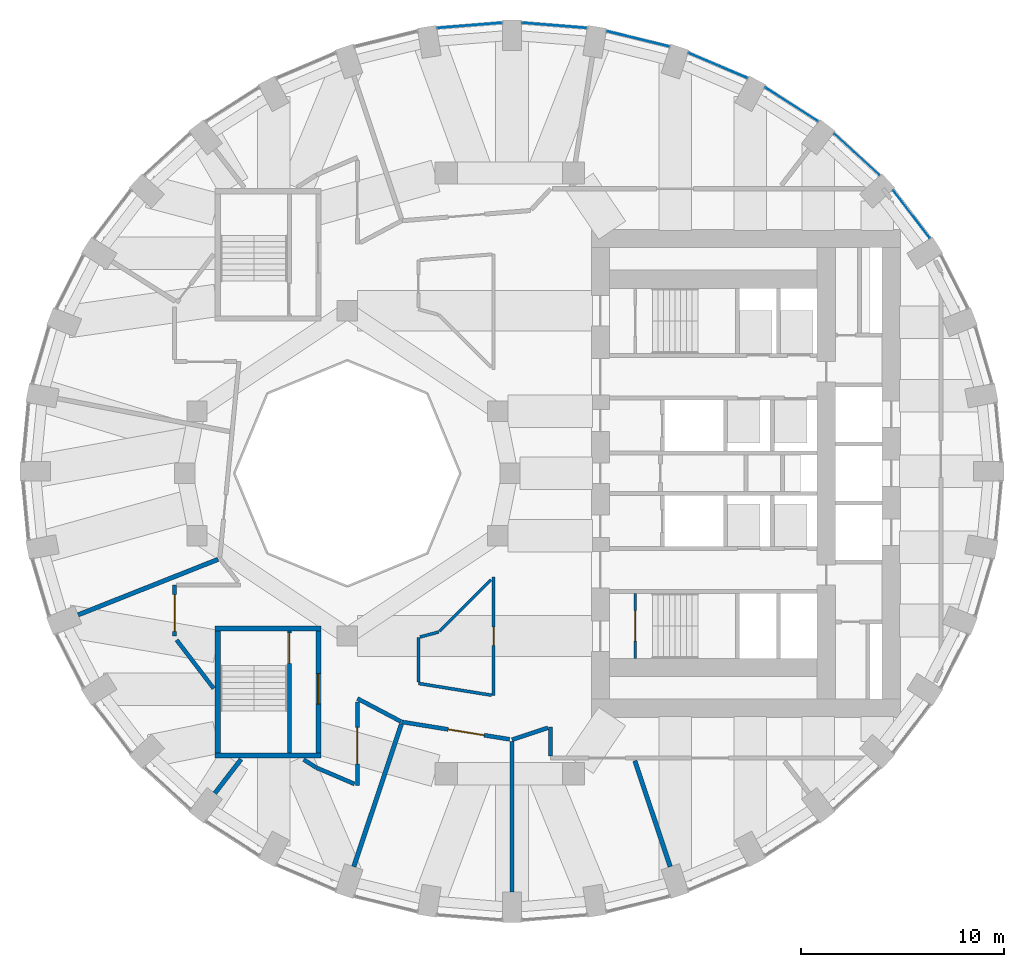
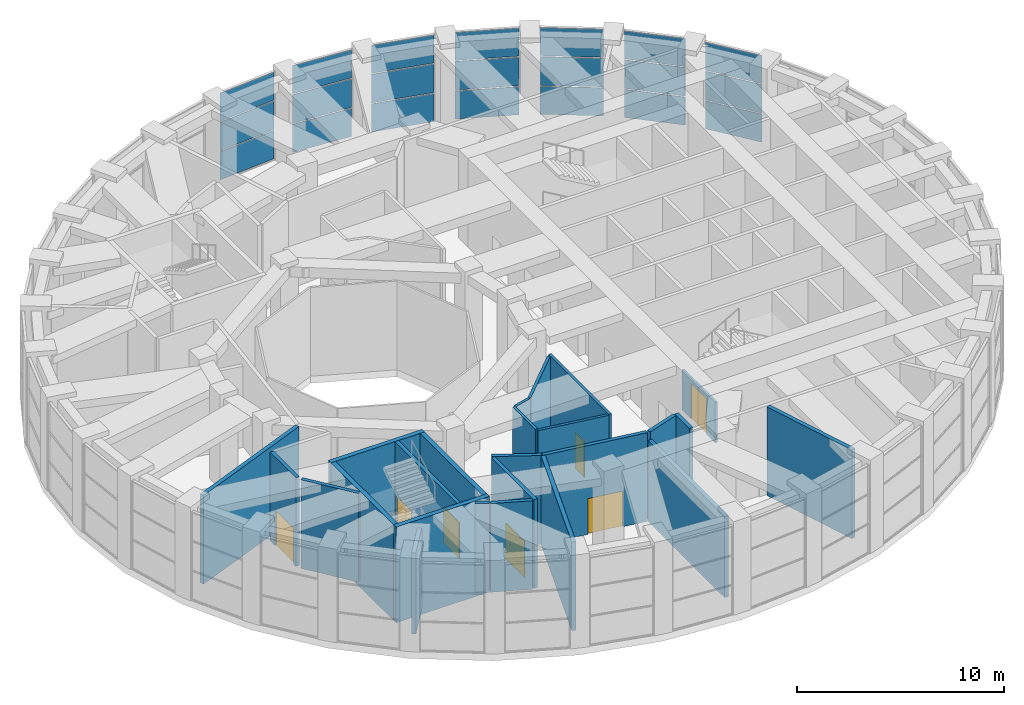
# One storey, part 11 of 17: 25 walls, 21 plates, 7 doors, 7 openings, 7 elements without a shape of their own.
"""IFC4 building model written with IfcOpenShell, lengths in metres."""

from ifc_helpers import new_model, si_unit, direction, frame, frame_2d, origin, origin_2d, place, context, subcontext, project, spatial, rectangle, extrude, material, layer, layer_set, type_object, element, fill, aggregate, save


model = new_model("IFC4")

# Units and contexts
model_context = context("Model", 3, precision=1e-05, world=origin(), true_north=direction((0.0, 1.0)))
body_context = subcontext(model_context, "Body", "Model", "MODEL_VIEW")
ifc_project = project(units=[si_unit("LENGTHUNIT", "METRE"), si_unit("AREAUNIT", "SQUARE_METRE"), si_unit("VOLUMEUNIT", "CUBIC_METRE"), si_unit("PLANEANGLEUNIT", "RADIAN"), si_unit("MASSUNIT", "GRAM", prefix="KILO")], contexts=[model_context])

# Site, building, storey
site_placement = place(None, origin())
site = spatial("IfcSite", under=ifc_project, at=site_placement, CompositionType="ELEMENT")
building_placement = place(site_placement, origin())
building = spatial("IfcBuilding", under=site, at=building_placement, Name="Taillehof Tower", CompositionType="ELEMENT")
storey_placement = place(building_placement, frame((0.0, 0.0, 139.60009765625)))
storey = spatial("IfcBuildingStorey", under=building, at=storey_placement, Name="L39", CompositionType="ELEMENT", Elevation=139.60009765625)

# Curtain wall, plates
ifc_material_1 = material(Name="Aluminium curtain wall with Clear low-emissivity double glazing", Category="aluminium")
curtain_wall_type = type_object("IfcCurtainWallType", Name="Sky lobby curtain wall", PredefinedType="USERDEFINED", material=ifc_material_1)
curtain_wall_1_placement = place(storey_placement, origin())
curtain_wall_1 = element("IfcCurtainWall", 1, at=curtain_wall_1_placement, inside=storey, type_object=curtain_wall_type, Name="Sky lobby L39 bay 4", ObjectType="WINDOW WALL", PredefinedType="USERDEFINED")
ifc_material_2 = material(Name="Clear low-emissivity double glazing", Category="glass")
ifc_layer_1 = layer(ifc_material_2, 0.028076171875)
ifc_layer_set_1 = layer_set([ifc_layer_1], Name="Sky lobby glass panel 28")
plate_type = type_object("IfcPlateType", Name="Sky lobby glass panel 28", PredefinedType="CURTAIN_PANEL", material=ifc_layer_set_1)
plate_1_placement = place(storey_placement, frame((19.75048828125, 12.748779296875, 0.06005859375), z_axis=(0.0, 0.0, 1.0), x_axis=(-0.607790899725, 0.794097111323, 0.0)))
plate_1 = element("IfcPlate", 2, at=plate_1_placement, type_object=plate_type, Name="CT3C04 panel 1.1", PredefinedType="CURTAIN_PANEL", context=body_context, shape_type="SweptSolid", body=[
    extrude(rectangle(XDim=2.939453125, YDim=0.028076171875, at=origin_2d()), origin(), (0.0, 0.0, 1.0), 1.64990234375),
])
plate_2_placement = place(storey_placement, frame((19.75048828125, 12.748779296875, 1.77001953125), z_axis=(0.0, 0.0, 1.0), x_axis=(-0.607790899725, 0.794097111323, 0.0)))
plate_2 = element("IfcPlate", 3, at=plate_2_placement, type_object=plate_type, Name="CT3C04 panel 1.2", PredefinedType="CURTAIN_PANEL", context=body_context, shape_type="SweptSolid", body=[
    extrude(rectangle(XDim=2.939453125, YDim=0.028076171875, at=origin_2d()), origin(), (0.0, 0.0, 1.0), 1.679931640625),
])
plate_3_placement = place(storey_placement, frame((19.75048828125, 12.748779296875, 3.510009765625), z_axis=(0.0, 0.0, 1.0), x_axis=(-0.607790899725, 0.794097111323, 0.0)))
plate_3 = element("IfcPlate", 4, at=plate_3_placement, type_object=plate_type, Name="CT3C04 panel 1.3", PredefinedType="CURTAIN_PANEL", context=body_context, shape_type="SweptSolid", body=[
    extrude(rectangle(XDim=2.939453125, YDim=0.028076171875, at=origin_2d()), origin(), (0.0, 0.0, 1.0), 1.64990234375),
])
aggregate(curtain_wall_1, [plate_1, plate_2, plate_3])

curtain_wall_2_placement = place(storey_placement, origin())
curtain_wall_2 = element("IfcCurtainWall", 5, at=curtain_wall_2_placement, inside=storey, type_object=curtain_wall_type, Name="Sky lobby L39 bay 5", ObjectType="WINDOW WALL", PredefinedType="USERDEFINED")
plate_4_placement = place(storey_placement, frame((17.056396484375, 15.686279296875, 0.06005859375), z_axis=(0.0, 0.0, 1.0), x_axis=(-0.737826725413, 0.674990165311, 0.0)))
plate_4 = element("IfcPlate", 6, at=plate_4_placement, type_object=plate_type, Name="CT3C05 panel 1.1", PredefinedType="CURTAIN_PANEL", context=body_context, shape_type="SweptSolid", body=[
    extrude(rectangle(XDim=2.996337890625, YDim=0.028076171875, at=origin_2d()), origin(), (0.0, 0.0, 1.0), 1.64990234375),
])
plate_5_placement = place(storey_placement, frame((17.056396484375, 15.686279296875, 1.77001953125), z_axis=(0.0, 0.0, 1.0), x_axis=(-0.737826725413, 0.674990165311, 0.0)))
plate_5 = element("IfcPlate", 7, at=plate_5_placement, type_object=plate_type, Name="CT3C05 panel 1.2", PredefinedType="CURTAIN_PANEL", context=body_context, shape_type="SweptSolid", body=[
    extrude(rectangle(XDim=2.996337890625, YDim=0.028076171875, at=origin_2d()), origin(), (0.0, 0.0, 1.0), 1.679931640625),
])
plate_6_placement = place(storey_placement, frame((17.056396484375, 15.686279296875, 3.510009765625), z_axis=(0.0, 0.0, 1.0), x_axis=(-0.737826725413, 0.674990165311, 0.0)))
plate_6 = element("IfcPlate", 8, at=plate_6_placement, type_object=plate_type, Name="CT3C05 panel 1.3", PredefinedType="CURTAIN_PANEL", context=body_context, shape_type="SweptSolid", body=[
    extrude(rectangle(XDim=2.996337890625, YDim=0.028076171875, at=origin_2d()), origin(), (0.0, 0.0, 1.0), 1.64990234375),
])
aggregate(curtain_wall_2, [plate_4, plate_5, plate_6])

curtain_wall_3_placement = place(storey_placement, origin())
curtain_wall_3 = element("IfcCurtainWall", 9, at=curtain_wall_3_placement, inside=storey, type_object=curtain_wall_type, Name="Sky lobby L39 bay 6", ObjectType="WINDOW WALL", PredefinedType="USERDEFINED")
plate_7_placement = place(storey_placement, frame((13.849365234375, 18.1484375, 0.06005859375), z_axis=(0.0, 0.0, 1.0), x_axis=(-0.842053210263, 0.539394467052, 0.0)))
plate_7 = element("IfcPlate", 10, at=plate_7_placement, type_object=plate_type, Name="CT3C06 panel 1.1", PredefinedType="CURTAIN_PANEL", context=body_context, shape_type="SweptSolid", body=[
    extrude(rectangle(XDim=3.052490234375, YDim=0.028076171875, at=origin_2d()), origin(), (0.0, 0.0, 1.0), 1.64990234375),
])
plate_8_placement = place(storey_placement, frame((13.849365234375, 18.1484375, 1.77001953125), z_axis=(0.0, 0.0, 1.0), x_axis=(-0.842053210263, 0.539394467052, 0.0)))
plate_8 = element("IfcPlate", 11, at=plate_8_placement, type_object=plate_type, Name="CT3C06 panel 1.2", PredefinedType="CURTAIN_PANEL", context=body_context, shape_type="SweptSolid", body=[
    extrude(rectangle(XDim=3.052490234375, YDim=0.028076171875, at=origin_2d()), origin(), (0.0, 0.0, 1.0), 1.679931640625),
])
plate_9_placement = place(storey_placement, frame((13.849365234375, 18.1484375, 3.510009765625), z_axis=(0.0, 0.0, 1.0), x_axis=(-0.842053210263, 0.539394467052, 0.0)))
plate_9 = element("IfcPlate", 12, at=plate_9_placement, type_object=plate_type, Name="CT3C06 panel 1.3", PredefinedType="CURTAIN_PANEL", context=body_context, shape_type="SweptSolid", body=[
    extrude(rectangle(XDim=3.052490234375, YDim=0.028076171875, at=origin_2d()), origin(), (0.0, 0.0, 1.0), 1.64990234375),
])
aggregate(curtain_wall_3, [plate_7, plate_8, plate_9])

curtain_wall_4_placement = place(storey_placement, origin())
curtain_wall_4 = element("IfcCurtainWall", 13, at=curtain_wall_4_placement, inside=storey, type_object=curtain_wall_type, Name="Sky lobby L39 bay 7", ObjectType="WINDOW WALL", PredefinedType="USERDEFINED")
plate_10_placement = place(storey_placement, frame((10.2275390625, 20.0615234375, 0.06005859375), z_axis=(0.0, 0.0, 1.0), x_axis=(-0.919803722368, 0.392378786783, 0.0)))
plate_10 = element("IfcPlate", 14, at=plate_10_placement, type_object=plate_type, Name="CT3C07 panel 1.1", PredefinedType="CURTAIN_PANEL", context=body_context, shape_type="SweptSolid", body=[
    extrude(rectangle(XDim=3.101318359375, YDim=0.028076171875, at=origin_2d()), origin(), (0.0, 0.0, 1.0), 1.64990234375),
])
plate_11_placement = place(storey_placement, frame((10.2275390625, 20.0615234375, 1.77001953125), z_axis=(0.0, 0.0, 1.0), x_axis=(-0.919803722368, 0.392378786783, 0.0)))
plate_11 = element("IfcPlate", 15, at=plate_11_placement, type_object=plate_type, Name="CT3C07 panel 1.2", PredefinedType="CURTAIN_PANEL", context=body_context, shape_type="SweptSolid", body=[
    extrude(rectangle(XDim=3.101318359375, YDim=0.028076171875, at=origin_2d()), origin(), (0.0, 0.0, 1.0), 1.679931640625),
])
plate_12_placement = place(storey_placement, frame((10.2275390625, 20.0615234375, 3.510009765625), z_axis=(0.0, 0.0, 1.0), x_axis=(-0.919803722368, 0.392378786783, 0.0)))
plate_12 = element("IfcPlate", 16, at=plate_12_placement, type_object=plate_type, Name="CT3C07 panel 1.3", PredefinedType="CURTAIN_PANEL", context=body_context, shape_type="SweptSolid", body=[
    extrude(rectangle(XDim=3.101318359375, YDim=0.028076171875, at=origin_2d()), origin(), (0.0, 0.0, 1.0), 1.64990234375),
])
aggregate(curtain_wall_4, [plate_10, plate_11, plate_12])

curtain_wall_5_placement = place(storey_placement, origin())
curtain_wall_5 = element("IfcCurtainWall", 17, at=curtain_wall_5_placement, inside=storey, type_object=curtain_wall_type, Name="Sky lobby L39 bay 8", ObjectType="WINDOW WALL", PredefinedType="USERDEFINED")
plate_13_placement = place(storey_placement, frame((6.301025390625, 21.369140625, 0.06005859375), z_axis=(0.0, 0.0, 1.0), x_axis=(-0.971246214424, 0.238077279402, 0.0)))
plate_13 = element("IfcPlate", 18, at=plate_13_placement, type_object=plate_type, Name="CT3C08 panel 1.1", PredefinedType="CURTAIN_PANEL", context=body_context, shape_type="SweptSolid", body=[
    extrude(rectangle(XDim=3.13720703125, YDim=0.028076171875, at=origin_2d()), origin(), (0.0, 0.0, 1.0), 1.64990234375),
])
plate_14_placement = place(storey_placement, frame((6.301025390625, 21.369140625, 1.77001953125), z_axis=(0.0, 0.0, 1.0), x_axis=(-0.971246214424, 0.238077279402, 0.0)))
plate_14 = element("IfcPlate", 19, at=plate_14_placement, type_object=plate_type, Name="CT3C08 panel 1.2", PredefinedType="CURTAIN_PANEL", context=body_context, shape_type="SweptSolid", body=[
    extrude(rectangle(XDim=3.13720703125, YDim=0.028076171875, at=origin_2d()), origin(), (0.0, 0.0, 1.0), 1.679931640625),
])
plate_15_placement = place(storey_placement, frame((6.301025390625, 21.369140625, 3.510009765625), z_axis=(0.0, 0.0, 1.0), x_axis=(-0.971246214424, 0.238077279402, 0.0)))
plate_15 = element("IfcPlate", 20, at=plate_15_placement, type_object=plate_type, Name="CT3C08 panel 1.3", PredefinedType="CURTAIN_PANEL", context=body_context, shape_type="SweptSolid", body=[
    extrude(rectangle(XDim=3.13720703125, YDim=0.028076171875, at=origin_2d()), origin(), (0.0, 0.0, 1.0), 1.64990234375),
])
aggregate(curtain_wall_5, [plate_13, plate_14, plate_15])

curtain_wall_6_placement = place(storey_placement, origin())
curtain_wall_6 = element("IfcCurtainWall", 21, at=curtain_wall_6_placement, inside=storey, type_object=curtain_wall_type, Name="Sky lobby L39 bay 9", ObjectType="WINDOW WALL", PredefinedType="USERDEFINED")
plate_16_placement = place(storey_placement, frame((2.18798828125, 22.032470703125, 0.06005859375), z_axis=(0.0, 0.0, 1.0), x_axis=(-0.996812400185, 0.079781193509, 0.0)))
plate_16 = element("IfcPlate", 22, at=plate_16_placement, type_object=plate_type, Name="CT3C09 panel 1.1", PredefinedType="CURTAIN_PANEL", context=body_context, shape_type="SweptSolid", body=[
    extrude(rectangle(XDim=3.156005859375, YDim=0.028076171875, at=origin_2d()), origin(), (0.0, 0.0, 1.0), 1.64990234375),
])
plate_17_placement = place(storey_placement, frame((2.18798828125, 22.032470703125, 1.77001953125), z_axis=(0.0, 0.0, 1.0), x_axis=(-0.996812400185, 0.079781193509, 0.0)))
plate_17 = element("IfcPlate", 23, at=plate_17_placement, type_object=plate_type, Name="CT3C09 panel 1.2", PredefinedType="CURTAIN_PANEL", context=body_context, shape_type="SweptSolid", body=[
    extrude(rectangle(XDim=3.156005859375, YDim=0.028076171875, at=origin_2d()), origin(), (0.0, 0.0, 1.0), 1.679931640625),
])
plate_18_placement = place(storey_placement, frame((2.18798828125, 22.032470703125, 3.510009765625), z_axis=(0.0, 0.0, 1.0), x_axis=(-0.996812400185, 0.079781193509, 0.0)))
plate_18 = element("IfcPlate", 24, at=plate_18_placement, type_object=plate_type, Name="CT3C09 panel 1.3", PredefinedType="CURTAIN_PANEL", context=body_context, shape_type="SweptSolid", body=[
    extrude(rectangle(XDim=3.156005859375, YDim=0.028076171875, at=origin_2d()), origin(), (0.0, 0.0, 1.0), 1.64990234375),
])
aggregate(curtain_wall_6, [plate_16, plate_17, plate_18])

curtain_wall_7_placement = place(storey_placement, origin())
curtain_wall_7 = element("IfcCurtainWall", 25, at=curtain_wall_7_placement, inside=storey, type_object=curtain_wall_type, Name="Sky lobby L39 bay 10", ObjectType="WINDOW WALL", PredefinedType="USERDEFINED")
plate_19_placement = place(storey_placement, frame((-1.98779296875, 22.032470703125, 0.06005859375), z_axis=(0.0, 0.0, 1.0), x_axis=(-0.996812400185, -0.079781193509, 0.0)))
plate_19 = element("IfcPlate", 26, at=plate_19_placement, type_object=plate_type, Name="CT3C10 panel 1.1", PredefinedType="CURTAIN_PANEL", context=body_context, shape_type="SweptSolid", body=[
    extrude(rectangle(XDim=3.156005859375, YDim=0.028076171875, at=origin_2d()), origin(), (0.0, 0.0, 1.0), 1.64990234375),
])
plate_20_placement = place(storey_placement, frame((-1.98779296875, 22.032470703125, 1.77001953125), z_axis=(0.0, 0.0, 1.0), x_axis=(-0.996812400185, -0.079781193509, 0.0)))
plate_20 = element("IfcPlate", 27, at=plate_20_placement, type_object=plate_type, Name="CT3C10 panel 1.2", PredefinedType="CURTAIN_PANEL", context=body_context, shape_type="SweptSolid", body=[
    extrude(rectangle(XDim=3.156005859375, YDim=0.028076171875, at=origin_2d()), origin(), (0.0, 0.0, 1.0), 1.679931640625),
])
plate_21_placement = place(storey_placement, frame((-1.98779296875, 22.032470703125, 3.510009765625), z_axis=(0.0, 0.0, 1.0), x_axis=(-0.996812400185, -0.079781193509, 0.0)))
plate_21 = element("IfcPlate", 28, at=plate_21_placement, type_object=plate_type, Name="CT3C10 panel 1.3", PredefinedType="CURTAIN_PANEL", context=body_context, shape_type="SweptSolid", body=[
    extrude(rectangle(XDim=3.156005859375, YDim=0.028076171875, at=origin_2d()), origin(), (0.0, 0.0, 1.0), 1.64990234375),
])
aggregate(curtain_wall_7, [plate_19, plate_20, plate_21])

# Wall
ifc_material_3 = material(Name="Gypsum board on steel studs, two layers each side", Category="steel")
ifc_layer_2 = layer(ifc_material_3, 0.199951171875)
ifc_layer_set_2 = layer_set([ifc_layer_2], Name="Compartment wall corridor 200")
wall_type_1 = type_object("IfcWallType", Name="Compartment wall corridor 200", PredefinedType="PARTITIONING", material=ifc_layer_set_2)
wall_1_placement = place(storey_placement, frame((-14.57373046875, -10.580078125, 0.0), z_axis=(0.0, 0.0, 1.0), x_axis=(-0.606773437409, 0.794874830181, 0.0)))
element("IfcWall", 29, at=wall_1_placement, inside=storey, type_object=wall_type_1, Name="Compartment wall", PredefinedType="PARTITIONING", context=body_context, shape_type="SweptSolid", body=[
    extrude(rectangle(XDim=3.000732421875, YDim=0.199951171875, at=frame_2d((1.50048828125, 0.0))), origin(), (0.0, 0.0, 1.0), 5.219970703125),
])

# Wall, opening, door
wall_2_placement = place(storey_placement, frame((-16.5, -7.987060546875, 0.0), z_axis=(0.0, 0.0, 1.0), x_axis=(0.0, 1.0, 0.0)))
wall_2 = element("IfcWall", 30, at=wall_2_placement, inside=storey, type_object=wall_type_1, Name="Compartment wall", PredefinedType="PARTITIONING", context=body_context, shape_type="SweptSolid", body=[
    extrude(rectangle(XDim=2.487060546875, YDim=0.199951171875, at=frame_2d((1.24365234375, 0.0))), origin(), (0.0, 0.0, 1.0), 5.219970703125),
])
opening_1_placement = place(wall_2_placement, frame((0.219970703125, 0.0, 0.0)))
opening_1 = element("IfcOpeningElement", 31, at=opening_1_placement, cuts=wall_2, Name="Opening D3946", PredefinedType="OPENING", context=body_context, shape_type="SweptSolid", body=[
    extrude(rectangle(XDim=1.800048828125, YDim=2.10009765625, at=frame_2d((0.89990234375, 1.050048828125))), frame((0.0, 0.10986328125, 0.0), z_axis=(0.0, -1.0, 0.0), x_axis=(1.0, 0.0, 0.0)), (0.0, 0.0, 1.0), 0.219970703125),
])
ifc_material_4 = material(Name="Timber door leaf in steel frame", Category="steel")
door_type_1 = type_object("IfcDoorType", Name="Lounge and meeting room double door EI 30 1800 x 2100", OperationType="SINGLE_SWING_LEFT", PredefinedType="DOOR", material=ifc_material_4)
door_1_placement = place(opening_1_placement, origin())
door_1 = element("IfcDoor", 32, at=door_1_placement, inside=storey, type_object=door_type_1, Name="D3946", OperationType="DOUBLE_DOOR_SINGLE_SWING", OverallHeight=2.10009765625, OverallWidth=1.800048828125, PredefinedType="DOOR", context=body_context, shape_type="SweptSolid", body=[
    extrude(rectangle(XDim=1.800048828125, YDim=2.10009765625, at=frame_2d((0.89990234375, 1.050048828125))), frame((0.0, 0.02490234375, 0.0), z_axis=(0.0, -1.0, 0.0), x_axis=(1.0, 0.0, 0.0)), (0.0, 0.0, 1.0), 0.050048828125),
])
fill(opening_1, door_1)

# Walls
wall_3_placement = place(storey_placement, frame((2.0, -13.89990234375, 0.0), z_axis=(0.0, 0.0, 1.0), x_axis=(0.0, 1.0, 0.0)))
element("IfcWall", 33, at=wall_3_placement, inside=storey, type_object=wall_type_1, Name="Compartment wall", PredefinedType="PARTITIONING", context=body_context, shape_type="SweptSolid", body=[
    extrude(rectangle(XDim=1.427734375, YDim=0.199951171875, at=frame_2d((0.7138671875, 0.0))), origin(), (0.0, 0.0, 1.0), 5.219970703125),
])
wall_4_placement = place(storey_placement, frame((1.86669921875, -12.5166015625, 0.0), z_axis=(0.0, 0.0, 1.0), x_axis=(-0.949545826554, -0.313628320269, 0.0)))
element("IfcWall", 34, at=wall_4_placement, inside=storey, type_object=wall_type_1, Name="Compartment wall", PredefinedType="PARTITIONING", context=body_context, shape_type="SweptSolid", body=[
    extrude(rectangle(XDim=1.8603515625, YDim=0.199951171875, at=frame_2d((0.93017578125, 0.0))), origin(), (0.0, 0.0, 1.0), 5.219970703125),
])

# Wall, opening, door
wall_5_placement = place(storey_placement, frame((-0.0185546875, -13.0810546875, 0.0), z_axis=(0.0, 0.0, 1.0), x_axis=(-0.987225228175, 0.159330941296, 0.0)))
wall_5 = element("IfcWall", 35, at=wall_5_placement, inside=storey, type_object=wall_type_1, Name="Compartment wall", PredefinedType="PARTITIONING", context=body_context, shape_type="SweptSolid", body=[
    extrude(rectangle(XDim=5.376708984375, YDim=0.199951171875, at=frame_2d((2.6884765625, 0.0))), origin(), (0.0, 0.0, 1.0), 5.219970703125),
])
opening_2_placement = place(wall_5_placement, frame((1.26220703125, 0.0, 0.0)))
opening_2 = element("IfcOpeningElement", 36, at=opening_2_placement, cuts=wall_5, Name="Opening D3948", PredefinedType="OPENING", context=body_context, shape_type="SweptSolid", body=[
    extrude(rectangle(XDim=1.800048828125, YDim=2.10009765625, at=frame_2d((0.89990234375, 1.050048828125))), frame((0.0, 0.10986328125, 0.0), z_axis=(0.0, -1.0, 0.0), x_axis=(1.0, 0.0, 0.0)), (0.0, 0.0, 1.0), 0.219970703125),
])
door_2_placement = place(opening_2_placement, origin())
door_2 = element("IfcDoor", 37, at=door_2_placement, inside=storey, type_object=door_type_1, Name="D3948", OperationType="DOUBLE_DOOR_SINGLE_SWING", OverallHeight=2.10009765625, OverallWidth=1.800048828125, PredefinedType="DOOR", context=body_context, shape_type="SweptSolid", body=[
    extrude(rectangle(XDim=1.800048828125, YDim=2.10009765625, at=frame_2d((0.89990234375, 1.050048828125))), frame((0.0, 0.02490234375, 0.0), z_axis=(0.0, -1.0, 0.0), x_axis=(1.0, 0.0, 0.0)), (0.0, 0.0, 1.0), 0.050048828125),
])
fill(opening_2, door_2)

# Wall
wall_6_placement = place(storey_placement, frame((-5.36181640625, -12.205810546875, 0.0), z_axis=(0.0, 0.0, 1.0), x_axis=(-0.884271268035, 0.466973580117, 0.0)))
element("IfcWall", 38, at=wall_6_placement, inside=storey, type_object=wall_type_1, Name="Compartment wall", PredefinedType="PARTITIONING", context=body_context, shape_type="SweptSolid", body=[
    extrude(rectangle(XDim=2.41796875, YDim=0.199951171875, at=frame_2d((1.208984375, 0.0))), origin(), (0.0, 0.0, 1.0), 5.219970703125),
])

# Wall, opening, door
wall_7_placement = place(storey_placement, frame((-7.5, -11.23681640625, 0.0), z_axis=(0.0, 0.0, 1.0), x_axis=(0.0, -1.0, 0.0)))
wall_7 = element("IfcWall", 39, at=wall_7_placement, inside=storey, type_object=wall_type_1, Name="Compartment wall", PredefinedType="PARTITIONING", context=body_context, shape_type="SweptSolid", body=[
    extrude(rectangle(XDim=4.103759765625, YDim=0.199951171875, at=frame_2d((2.0517578125, 0.0))), origin(), (0.0, 0.0, 1.0), 5.219970703125),
])
opening_3_placement = place(wall_7_placement, frame((1.25537109375, 0.0, 0.0)))
opening_3 = element("IfcOpeningElement", 40, at=opening_3_placement, cuts=wall_7, Name="Opening D3947", PredefinedType="OPENING", context=body_context, shape_type="SweptSolid", body=[
    extrude(rectangle(XDim=1.800048828125, YDim=2.10009765625, at=frame_2d((0.89990234375, 1.050048828125))), frame((0.0, 0.10986328125, 0.0), z_axis=(0.0, -1.0, 0.0), x_axis=(1.0, 0.0, 0.0)), (0.0, 0.0, 1.0), 0.219970703125),
])
door_3_placement = place(opening_3_placement, origin())
door_3 = element("IfcDoor", 41, at=door_3_placement, inside=storey, type_object=door_type_1, Name="D3947", OperationType="DOUBLE_DOOR_SINGLE_SWING", OverallHeight=2.10009765625, OverallWidth=1.800048828125, PredefinedType="DOOR", context=body_context, shape_type="SweptSolid", body=[
    extrude(rectangle(XDim=1.800048828125, YDim=2.10009765625, at=frame_2d((0.89990234375, 1.050048828125))), frame((0.0, 0.02490234375, 0.0), z_axis=(0.0, -1.0, 0.0), x_axis=(1.0, 0.0, 0.0)), (0.0, 0.0, 1.0), 0.050048828125),
])
fill(opening_3, door_3)

# Walls
wall_8_placement = place(storey_placement, frame((-7.646484375, -15.278076171875, 0.0), z_axis=(0.0, 0.0, 1.0), x_axis=(-0.919378881691, 0.393373196724, 0.0)))
element("IfcWall", 42, at=wall_8_placement, inside=storey, type_object=wall_type_1, Name="Compartment wall", PredefinedType="PARTITIONING", context=body_context, shape_type="SweptSolid", body=[
    extrude(rectangle(XDim=2.050537109375, YDim=0.199951171875, at=frame_2d((1.025390625, 0.0))), origin(), (0.0, 0.0, 1.0), 5.219970703125),
])
wall_9_placement = place(storey_placement, frame((-9.548583984375, -14.460693359375, 0.0), z_axis=(0.0, 0.0, 1.0), x_axis=(-0.841346004371, 0.540496901868, 0.0)))
element("IfcWall", 43, at=wall_9_placement, inside=storey, type_object=wall_type_1, Name="Compartment wall", PredefinedType="PARTITIONING", context=body_context, shape_type="SweptSolid", body=[
    extrude(rectangle(XDim=0.7099609375, YDim=0.199951171875, at=frame_2d((0.35498046875, 0.0))), origin(), (0.0, 0.0, 1.0), 5.219970703125),
])
ifc_material_5 = material(Name="Gypsum board on double steel studs with mineral wool", Category="steel")
ifc_layer_3 = layer(ifc_material_5, 0.219970703125)
ifc_layer_set_3 = layer_set([ifc_layer_3], Name="Compartment wall guest room 220")
wall_type_2 = type_object("IfcWallType", Name="Compartment wall guest room 220", PredefinedType="PARTITIONING", material=ifc_layer_set_3)
wall_10_placement = place(storey_placement, frame((-21.23876953125, -6.959716796875, 0.0), z_axis=(0.0, 0.0, 1.0), x_axis=(0.929507574086, 0.368803022923, 0.0)))
element("IfcWall", 44, at=wall_10_placement, inside=storey, type_object=wall_type_2, Name="Compartment wall", PredefinedType="PARTITIONING", context=body_context, shape_type="SweptSolid", body=[
    extrude(rectangle(XDim=7.405517578125, YDim=0.219970703125, at=frame_2d((3.70263671875, 0.0))), origin(), (0.0, 0.0, 1.0), 5.219970703125),
])
wall_11_placement = place(storey_placement, frame((-14.515869140625, -15.7373046875, 0.0), z_axis=(0.0, 0.0, 1.0), x_axis=(0.609983624648, 0.792414019097, 0.0)))
element("IfcWall", 45, at=wall_11_placement, inside=storey, type_object=wall_type_2, Name="Compartment wall", PredefinedType="PARTITIONING", context=body_context, shape_type="SweptSolid", body=[
    extrude(rectangle(XDim=2.118408203125, YDim=0.219970703125, at=frame_2d((1.05908203125, 0.0))), origin(), (0.0, 0.0, 1.0), 4.77001953125),
])
wall_12_placement = place(storey_placement, frame((-7.682861328125, -19.344970703125, 0.0), z_axis=(0.0, 0.0, 1.0), x_axis=(0.316722447241, 0.948518260981, 0.0)))
element("IfcWall", 46, at=wall_12_placement, inside=storey, type_object=wall_type_2, Name="Compartment wall", PredefinedType="PARTITIONING", context=body_context, shape_type="SweptSolid", body=[
    extrude(rectangle(XDim=7.40234375, YDim=0.219970703125, at=frame_2d((3.701171875, 0.0))), origin(), (0.0, 0.0, 1.0), 5.219970703125),
])
wall_13_placement = place(storey_placement, frame((0.10009765625, -20.60009765625, 0.0), z_axis=(0.0, 0.0, 1.0), x_axis=(0.0, 1.0, 0.0)))
element("IfcWall", 47, at=wall_13_placement, inside=storey, type_object=wall_type_2, Name="Compartment wall", PredefinedType="PARTITIONING", context=body_context, shape_type="SweptSolid", body=[
    extrude(rectangle(XDim=7.39990234375, YDim=0.219970703125, at=frame_2d((3.699951171875, 0.0))), origin(), (0.0, 0.0, 1.0), 4.77001953125),
])
wall_14_placement = place(storey_placement, frame((7.8828125, -19.344970703125, 0.0), z_axis=(0.0, 0.0, 1.0), x_axis=(-0.316708057884, 0.948523065651, 0.0)))
element("IfcWall", 48, at=wall_14_placement, inside=storey, type_object=wall_type_2, Name="Compartment wall", PredefinedType="PARTITIONING", context=body_context, shape_type="SweptSolid", body=[
    extrude(rectangle(XDim=5.4892578125, YDim=0.219970703125, at=frame_2d((2.74462890625, 0.0))), origin(), (0.0, 0.0, 1.0), 5.219970703125),
])

# Wall, opening, door
ifc_material_6 = material(Name="Gypsum board on steel studs, two layers each side", Category="steel")
ifc_layer_4 = layer(ifc_material_6, 0.14990234375)
ifc_layer_set_4 = layer_set([ifc_layer_4], Name="Compartment wall service room 150")
wall_type_3 = type_object("IfcWallType", Name="Compartment wall service room 150", PredefinedType="PARTITIONING", material=ifc_layer_set_4)
wall_15_placement = place(storey_placement, frame((-0.800048828125, -5.103759765625, 0.0), z_axis=(0.0, 0.0, 1.0), x_axis=(0.0, -1.0, 0.0)))
wall_15 = element("IfcWall", 49, at=wall_15_placement, inside=storey, type_object=wall_type_3, Name="Compartment wall", PredefinedType="PARTITIONING", context=body_context, shape_type="SweptSolid", body=[
    extrude(rectangle(XDim=5.8251953125, YDim=0.14990234375, at=frame_2d((2.91259765625, 0.0))), origin(), (0.0, 0.0, 1.0), 5.219970703125),
])
opening_4_placement = place(wall_15_placement, frame((2.462646484375, 0.0, 0.0)))
opening_4 = element("IfcOpeningElement", 50, at=opening_4_placement, cuts=wall_15, Name="Opening D3953", PredefinedType="OPENING", context=body_context, shape_type="SweptSolid", body=[
    extrude(rectangle(XDim=0.89990234375, YDim=2.10009765625, at=frame_2d((0.449951171875, 1.050048828125))), frame((0.0, 0.0849609375, 0.0), z_axis=(0.0, -1.0, 0.0), x_axis=(1.0, 0.0, 0.0)), (0.0, 0.0, 1.0), 0.169921875),
])
ifc_material_7 = material(Name="Timber door leaf in steel frame", Category="steel")
door_type_2 = type_object("IfcDoorType", Name="Service room door EI 30 900 x 2100", OperationType="SINGLE_SWING_LEFT", PredefinedType="DOOR", material=ifc_material_7)
door_4_placement = place(opening_4_placement, origin())
door_4 = element("IfcDoor", 51, at=door_4_placement, inside=storey, type_object=door_type_2, Name="D3953", OperationType="SINGLE_SWING_RIGHT", OverallHeight=2.10009765625, OverallWidth=0.89990234375, PredefinedType="DOOR", context=body_context, shape_type="SweptSolid", body=[
    extrude(rectangle(XDim=0.89990234375, YDim=2.10009765625, at=frame_2d((0.449951171875, 1.050048828125))), frame((0.0, 0.02490234375, 0.0), z_axis=(0.0, -1.0, 0.0), x_axis=(1.0, 0.0, 0.0)), (0.0, 0.0, 1.0), 0.050048828125),
])
fill(opening_4, door_4)

# Walls
wall_16_placement = place(storey_placement, frame((-0.89892578125, -10.9130859375, 0.0), z_axis=(0.0, 0.0, 1.0), x_axis=(-0.987230936507, 0.15929556806, 0.0)))
element("IfcWall", 52, at=wall_16_placement, inside=storey, type_object=wall_type_3, Name="Compartment wall", PredefinedType="PARTITIONING", context=body_context, shape_type="SweptSolid", body=[
    extrude(rectangle(XDim=3.647705078125, YDim=0.14990234375, at=frame_2d((1.82373046875, 0.0))), origin(), (0.0, 0.0, 1.0), 5.219970703125),
])
wall_17_placement = place(storey_placement, frame((-4.5, -10.251953125, 0.0), z_axis=(0.0, 0.0, 1.0), x_axis=(0.0, 1.0, 0.0)))
element("IfcWall", 53, at=wall_17_placement, inside=storey, type_object=wall_type_3, Name="Compartment wall", PredefinedType="PARTITIONING", context=body_context, shape_type="SweptSolid", body=[
    extrude(rectangle(XDim=2.182861328125, YDim=0.14990234375, at=frame_2d((1.09130859375, 0.0))), origin(), (0.0, 0.0, 1.0), 5.219970703125),
])
wall_18_placement = place(storey_placement, frame((-4.4228515625, -8.048583984375, 0.0), z_axis=(0.0, 0.0, 1.0), x_axis=(0.96590031435, 0.25891423819, 0.0)))
element("IfcWall", 54, at=wall_18_placement, inside=storey, type_object=wall_type_3, Name="Compartment wall", PredefinedType="PARTITIONING", context=body_context, shape_type="SweptSolid", body=[
    extrude(rectangle(XDim=0.958984375, YDim=0.14990234375, at=frame_2d((0.4794921875, 0.0))), origin(), (0.0, 0.0, 1.0), 5.219970703125),
])
wall_19_placement = place(storey_placement, frame((-3.46826171875, -7.77197265625, 0.0), z_axis=(0.0, 0.0, 1.0), x_axis=(0.707106781187, 0.707106781187, 0.0)))
element("IfcWall", 55, at=wall_19_placement, inside=storey, type_object=wall_type_3, Name="Compartment wall", PredefinedType="PARTITIONING", context=body_context, shape_type="SweptSolid", body=[
    extrude(rectangle(XDim=3.59326171875, YDim=0.14990234375, at=frame_2d((1.796630859375, 0.0))), origin(), (0.0, 0.0, 1.0), 5.219970703125),
])

# Wall, opening, door
ifc_material_8 = material(Name="Concrete C50/60", Category="concrete")
ifc_layer_5 = layer(ifc_material_8, 0.199951171875)
ifc_layer_set_5 = layer_set([ifc_layer_5], Name="Shaft wall C50/60 200")
wall_type_4 = type_object("IfcWallType", Name="Shaft wall C50/60 200", PredefinedType="SHEAR", material=ifc_layer_set_5)
wall_20_placement = place(storey_placement, frame((-10.85009765625, -13.75, 0.0), z_axis=(0.0, 0.0, 1.0), x_axis=(0.0, 1.0, 0.0)))
wall_20 = element("IfcWall", 56, at=wall_20_placement, inside=storey, type_object=wall_type_4, Name="Shaft wall SW", PredefinedType="SHEAR", context=body_context, shape_type="SweptSolid", body=[
    extrude(rectangle(XDim=6.0, YDim=0.199951171875, at=frame_2d((3.0, 0.0))), origin(), (0.0, 0.0, 1.0), 5.219970703125),
])
opening_5_placement = place(wall_20_placement, frame((4.39990234375, 0.0, 0.0)))
opening_5 = element("IfcOpeningElement", 57, at=opening_5_placement, cuts=wall_20, Name="Opening D3911", PredefinedType="OPENING", context=body_context, shape_type="SweptSolid", body=[
    extrude(rectangle(XDim=1.5, YDim=2.10009765625, at=frame_2d((0.75, 1.050048828125))), frame((0.0, 0.10986328125, 0.0), z_axis=(0.0, -1.0, 0.0), x_axis=(1.0, 0.0, 0.0)), (0.0, 0.0, 1.0), 0.219970703125),
])
ifc_material_9 = material(Name="Steel-faced fire door", Category="steel")
door_type_3 = type_object("IfcDoorType", Name="Stair door 1500x2100", OperationType="DOUBLE_DOOR_SINGLE_SWING", PredefinedType="DOOR", material=ifc_material_9)
door_5_placement = place(opening_5_placement, origin())
door_5 = element("IfcDoor", 58, at=door_5_placement, inside=storey, type_object=door_type_3, Name="Stair lobby door S4", OperationType="DOUBLE_DOOR_SINGLE_SWING", OverallHeight=2.10009765625, OverallWidth=1.5, PredefinedType="DOOR", context=body_context, shape_type="SweptSolid", body=[
    extrude(rectangle(XDim=1.5, YDim=2.10009765625, at=frame_2d((0.75, 1.050048828125))), frame((0.0, 0.02490234375, 0.0), z_axis=(0.0, -1.0, 0.0), x_axis=(1.0, 0.0, 0.0)), (0.0, 0.0, 1.0), 0.050048828125),
])
fill(opening_5, door_5)

ifc_material_10 = material(Name="Concrete C50/60", Category="concrete")
ifc_layer_6 = layer(ifc_material_10, 0.1201171875)
ifc_layer_set_6 = layer_set([ifc_layer_6], Name="Stair lobby wall C50/60 120")
wall_type_5 = type_object("IfcWallType", Name="Stair lobby wall C50/60 120", PredefinedType="SHEAR", material=ifc_layer_set_6)
wall_21_placement = place(storey_placement, frame((6.159912109375, -9.10009765625, 0.0), z_axis=(0.0, 0.0, 1.0), x_axis=(0.0, 1.0, 0.0)))
wall_21 = element("IfcWall", 59, at=wall_21_placement, inside=storey, type_object=wall_type_5, Name="Compartment wall SW", PredefinedType="SHEAR", context=body_context, shape_type="SweptSolid", body=[
    extrude(rectangle(XDim=3.2001953125, YDim=0.1201171875, at=frame_2d((1.60009765625, 0.0))), origin(), (0.0, 0.0, 1.0), 2.378173828125),
])
opening_6_placement = place(wall_21_placement, frame((0.85009765625, 0.0, 0.0)))
opening_6 = element("IfcOpeningElement", 60, at=opening_6_placement, cuts=wall_21, Name="Opening D3909", PredefinedType="OPENING", context=body_context, shape_type="SweptSolid", body=[
    extrude(rectangle(XDim=1.5, YDim=2.10009765625, at=frame_2d((0.75, 1.050048828125))), frame((0.0, 0.070068359375, 0.0), z_axis=(0.0, -1.0, 0.0), x_axis=(1.0, 0.0, 0.0)), (0.0, 0.0, 1.0), 0.14013671875),
])
door_6_placement = place(opening_6_placement, origin())
door_6 = element("IfcDoor", 61, at=door_6_placement, inside=storey, type_object=door_type_3, Name="Stair lobby door S2", OperationType="DOUBLE_DOOR_SINGLE_SWING", OverallHeight=2.10009765625, OverallWidth=1.5, PredefinedType="DOOR", context=body_context, shape_type="SweptSolid", body=[
    extrude(rectangle(XDim=1.5, YDim=2.10009765625, at=frame_2d((0.75, 1.050048828125))), frame((0.0, 0.02490234375, 0.0), z_axis=(0.0, -1.0, 0.0), x_axis=(1.0, 0.0, 0.0)), (0.0, 0.0, 1.0), 0.050048828125),
])
fill(opening_6, door_6)

# Wall
ifc_material_11 = material(Name="Concrete C50/60", Category="concrete")
ifc_layer_7 = layer(ifc_material_11, 0.25)
ifc_layer_set_7 = layer_set([ifc_layer_7], Name="Stair wall C50/60 250")
wall_type_6 = type_object("IfcWallType", Name="Stair wall C50/60 250", PredefinedType="SHEAR", material=ifc_layer_set_7)
wall_22_placement = place(storey_placement, frame((-14.375, -13.75, -0.41015625), z_axis=(0.0, 0.0, 1.0), x_axis=(0.0, 1.0, 0.0)))
element("IfcWall", 62, at=wall_22_placement, inside=storey, type_object=wall_type_6, Name="Stair wall SC", PredefinedType="SHEAR", context=body_context, shape_type="SweptSolid", body=[
    extrude(rectangle(XDim=6.0, YDim=0.25, at=frame_2d((3.0, 0.0))), origin(), (0.0, 0.0, 1.0), 5.630126953125),
])

# Wall, opening, door
wall_23_placement = place(storey_placement, frame((-9.425048828125, -13.75, -0.41015625), z_axis=(0.0, 0.0, 1.0), x_axis=(0.0, 1.0, 0.0)))
wall_23 = element("IfcWall", 63, at=wall_23_placement, inside=storey, type_object=wall_type_6, Name="Stair wall SC", PredefinedType="SHEAR", context=body_context, shape_type="SweptSolid", body=[
    extrude(rectangle(XDim=6.0, YDim=0.25, at=frame_2d((3.0, 0.0))), origin(), (0.0, 0.0, 1.0), 5.630126953125),
])
opening_7_placement = place(wall_23_placement, frame((2.39990234375, 0.0, 0.409912109375)))
opening_7 = element("IfcOpeningElement", 64, at=opening_7_placement, cuts=wall_23, Name="Opening D3918", PredefinedType="OPENING", context=body_context, shape_type="SweptSolid", body=[
    extrude(rectangle(XDim=1.5, YDim=2.10009765625, at=frame_2d((0.75, 1.050048828125))), frame((0.0, 0.135009765625, 0.0), z_axis=(0.0, -1.0, 0.0), x_axis=(1.0, 0.0, 0.0)), (0.0, 0.0, 1.0), 0.27001953125),
])
door_7_placement = place(opening_7_placement, origin())
door_7 = element("IfcDoor", 65, at=door_7_placement, inside=storey, type_object=door_type_3, Name="Stair door S4", OperationType="DOUBLE_DOOR_SINGLE_SWING", OverallHeight=2.10009765625, OverallWidth=1.5, PredefinedType="DOOR", context=body_context, shape_type="SweptSolid", body=[
    extrude(rectangle(XDim=1.5, YDim=2.10009765625, at=frame_2d((0.75, 1.050048828125))), frame((0.0, 0.02490234375, 0.0), z_axis=(0.0, -1.0, 0.0), x_axis=(1.0, 0.0, 0.0)), (0.0, 0.0, 1.0), 0.050048828125),
])
fill(opening_7, door_7)

# Walls
for number, where, z_axis, x_axis, name in (
    (66, (-14.5, -7.625, -0.41015625), (0.0, 0.0, 1.0), (1.0, 0.0, 0.0), "Stair wall SC"),
    (67, (-14.5, -13.875, -0.41015625), (0.0, 0.0, 1.0), (1.0, 0.0, 0.0), "Stair wall SC"),
):
    element("IfcWall", number, at=place(storey_placement, frame(where, z_axis=z_axis, x_axis=x_axis)), inside=storey, type_object=wall_type_6, Name=name, PredefinedType="SHEAR", context=body_context, shape_type="SweptSolid", body=[
        extrude(rectangle(XDim=5.199951171875, YDim=0.25, at=frame_2d((2.60009765625, 0.0))), origin(), (0.0, 0.0, 1.0), 5.630126953125),
    ])

save(model, "model.ifc")
